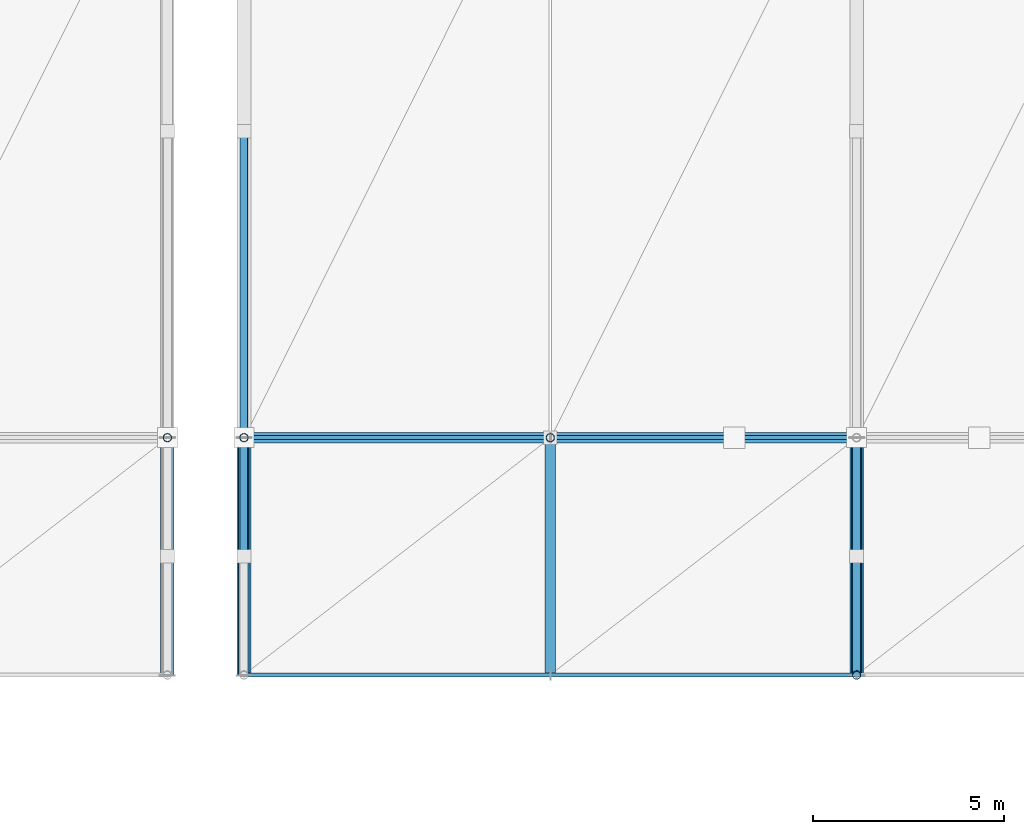
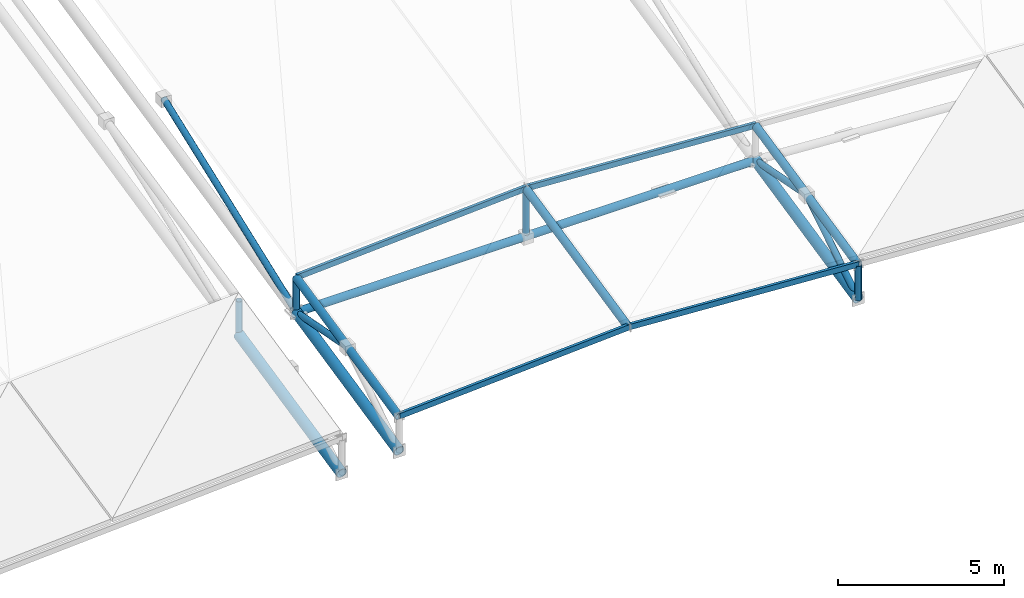
# One storey, part 15 of 67: 15 members, 4 beams.
"""IFC4 building model written with IfcOpenShell, lengths in metres."""

import ifcopenshell
import ifcopenshell.guid

model = None  # the IFC model being written
_history = None  # IfcOwnerHistory: only IFC2X3 demands one
_inside = {}  # id of a spatial element -> (the spatial element, [elements in it])
_under = {}  # id of a project, library or spatial element -> (it, [spatial elements below it])
_declared = {}  # id of a project -> (the project, [libraries it declares])
_typed = {}  # id of a type object -> (the type object, [elements of that type])
_made_of = {}  # id of a material, layer set ... -> (it, [elements and type objects made of it])


def new_model(schema):
    """Start an empty IFC model of exactly this schema.

    Asked for "IFC4X3", IfcOpenShell would pick the latest addendum, in which some entities
    have other attributes; the version numbers below select the first issue.
    IFC2X3 requires an IfcOwnerHistory on every rooted entity: one is made here for all.
    """
    global model, _history
    if schema == "IFC4X3":
        model = ifcopenshell.file(schema_version=(4, 3, 0, 0))
    else:
        model = ifcopenshell.file(schema=schema)
    _inside.clear()
    _under.clear()
    _declared.clear()
    _typed.clear()
    _made_of.clear()
    _history = None
    if model.schema == "IFC2X3":
        org = make("IfcOrganization", Name="unknown")
        user = make(
            "IfcPersonAndOrganization",
            ThePerson=make("IfcPerson", FamilyName="unknown"),
            TheOrganization=org,
        )
        app = make(
            "IfcApplication",
            ApplicationDeveloper=org,
            Version="unknown",
            ApplicationFullName="unknown",
            ApplicationIdentifier="unknown",
        )
        _history = make(
            "IfcOwnerHistory",
            OwningUser=user,
            OwningApplication=app,
            ChangeAction="ADDED",
            CreationDate=0,
        )
    return model


def make(cls, **values):
    """One entity of the class cls with the attributes given. An attribute that is None is left unset."""
    return model.create_entity(
        cls, **{name: value for name, value in values.items() if value is not None}
    )


def rooted(cls, **values):
    """An entity with a GlobalId (a new one), such as an element, a storey or a relation."""
    return make(cls, GlobalId=ifcopenshell.guid.new(), OwnerHistory=_history, **values)


def si_unit(unit_type, name, prefix=None):
    """IfcSIUnit, for example si_unit("LENGTHUNIT", "METRE", prefix="MILLI")."""
    return make("IfcSIUnit", UnitType=unit_type, Prefix=prefix, Name=name)


def assignment(units):
    """IfcUnitAssignment: the units of a project."""
    return None if units is None else make("IfcUnitAssignment", Units=units)


def point(xyz):
    """IfcCartesianPoint."""
    return None if xyz is None else make("IfcCartesianPoint", Coordinates=xyz)


def direction(xyz):
    """IfcDirection."""
    return None if xyz is None else make("IfcDirection", DirectionRatios=xyz)


def frame(location, z_axis=None, x_axis=None):
    """IfcAxis2Placement3D, a coordinate frame: its origin and axes. An axis left out is left unset."""
    return make(
        "IfcAxis2Placement3D",
        Location=point(location),
        Axis=direction(z_axis),
        RefDirection=direction(x_axis),
    )


def frame_2d(location, x_axis=None):
    """IfcAxis2Placement2D, a coordinate frame in the plane: its origin and x axis."""
    return make(
        "IfcAxis2Placement2D", Location=point(location), RefDirection=direction(x_axis)
    )


def origin():
    """The frame at (0, 0, 0) with its axes left unset."""
    return frame((0.0, 0.0, 0.0))


def origin_2d():
    """The frame at (0, 0) in the plane with its x axis left unset."""
    return frame_2d((0.0, 0.0))


def place(relative_to, where):
    """IfcLocalPlacement: puts the frame where relative to a parent placement (None: the world)."""
    return make(
        "IfcLocalPlacement", PlacementRelTo=relative_to, RelativePlacement=where
    )


def context(
    kind, dimensions, precision=None, world=None, true_north=None, identifier=None
):
    """IfcGeometricRepresentationContext, for example the 3D "Model" context."""
    return make(
        "IfcGeometricRepresentationContext",
        ContextIdentifier=identifier,
        ContextType=kind,
        CoordinateSpaceDimension=dimensions,
        Precision=precision,
        WorldCoordinateSystem=world,
        TrueNorth=true_north,
    )


def subcontext(parent, identifier, kind, view, scale=None):
    """IfcGeometricRepresentationSubContext, for example "Body" below "Model"."""
    return make(
        "IfcGeometricRepresentationSubContext",
        ContextIdentifier=identifier,
        ContextType=kind,
        ParentContext=parent,
        TargetScale=scale,
        TargetView=view,
    )


def project(units=None, contexts=None):
    """IfcProject with its units and contexts."""
    return rooted(
        "IfcProject",
        Name="project",
        RepresentationContexts=contexts,
        UnitsInContext=assignment(units),
    )


def spatial(cls, under=None, at=None, **own):
    """A site, building, storey or space (cls), placed at a placement, below another one or the project."""
    s = rooted(cls, ObjectPlacement=at, **own)
    if under is not None:
        _under.setdefault(under.id(), (under, []))[1].append(s)
    return s


def profile(cls, at=None, kind="AREA", **sizes):
    """A parametric profile (cls). Its sizes go by their IFC names, for example OverallWidth=200.0."""
    return make(cls, ProfileType=kind, Position=at, **sizes)


def hollow_rectangle(**sizes):
    """IfcRectangleHollowProfileDef."""
    return profile("IfcRectangleHollowProfileDef", **sizes)


def hollow_circle(**sizes):
    """IfcCircleHollowProfileDef."""
    return profile("IfcCircleHollowProfileDef", **sizes)


def extrude(swept, where, along, depth):
    """IfcExtrudedAreaSolid: the profile swept, set in the frame where, extruded along a direction by depth."""
    return make(
        "IfcExtrudedAreaSolid",
        SweptArea=swept,
        Position=where,
        ExtrudedDirection=direction(along),
        Depth=depth,
    )


def shape(context_of_items, identifier, shape_type, items):
    """IfcShapeRepresentation: the items that make up one representation, for example the "Body"."""
    return make(
        "IfcShapeRepresentation",
        ContextOfItems=context_of_items,
        RepresentationIdentifier=identifier,
        RepresentationType=shape_type,
        Items=items,
    )


def material(Name=None, Category=None):
    """IfcMaterial."""
    return make("IfcMaterial", Name=Name, Category=Category)


def material_profile(
    of_material, cross_section, Name=None, Category=None, Priority=None
):
    """IfcMaterialProfile: a cross section and its material."""
    return make(
        "IfcMaterialProfile",
        Name=Name,
        Material=of_material,
        Profile=cross_section,
        Priority=Priority,
        Category=Category,
    )


def profile_set(profiles, Name=None, composite=None):
    """IfcMaterialProfileSet."""
    return make(
        "IfcMaterialProfileSet",
        Name=Name,
        MaterialProfiles=profiles,
        CompositeProfile=composite,
    )


def made_of(thing, what):
    """Note that an element or type object is made of a material, layer set ...; save() writes the relation."""
    if what is not None:
        _made_of.setdefault(what.id(), (what, []))[1].append(thing)
    return thing


def type_object(cls, material=None, **own):
    """A type object (cls), such as IfcWallType, which elements share."""
    return made_of(rooted(cls, **own), material)


def element(
    cls,
    number,
    at=None,
    inside=None,
    cuts=None,
    type_object=None,
    material=None,
    context=None,
    identifier="Body",
    shape_type=None,
    held_by="IfcProductDefinitionShape",
    body=None,
    shapes=None,
    **own,
):
    """One element of the class cls, such as IfcWall. Its Tag is "e" and its number.

    at: its placement. inside: the storey or other place that contains it. cuts: it is an
    opening in that element (IfcRelVoidsElement). A single representation is given by context,
    identifier, shape_type and body (its items); several are given by shapes. held_by: the class
    of the entity that holds the representations. save() writes the other relations.
    """
    e = rooted(cls, Tag="e%d" % number, ObjectPlacement=at, **own)
    if body is not None:
        shapes = [shape(context, identifier, shape_type, body)]
    if shapes is not None:
        e.Representation = make(held_by, Representations=shapes)
    if inside is not None:
        _inside.setdefault(inside.id(), (inside, []))[1].append(e)
    if cuts is not None:
        rooted(
            "IfcRelVoidsElement", RelatingBuildingElement=cuts, RelatedOpeningElement=e
        )
    if type_object is not None:
        _typed.setdefault(type_object.id(), (type_object, []))[1].append(e)
    return made_of(e, material)


def aggregate(whole, parts):
    """IfcRelAggregates: a whole, such as a stair, and the parts it consists of."""
    return rooted("IfcRelAggregates", RelatingObject=whole, RelatedObjects=parts)


def save(model, path):
    """Write the relations noted so far, then the file.

    IfcRelAggregates (storeys below a building ...), IfcRelContainedInSpatialStructure (elements
    in a storey), IfcRelDefinesByType, IfcRelAssociatesMaterial and IfcRelDeclares: one each for
    every whole, place, type object, material and project.
    """
    for whole, parts in _under.values():
        aggregate(whole, parts)
    for where, things in _inside.values():
        rooted(
            "IfcRelContainedInSpatialStructure",
            RelatedElements=things,
            RelatingStructure=where,
        )
    for kind, things in _typed.values():
        rooted("IfcRelDefinesByType", RelatedObjects=things, RelatingType=kind)
    for what, things in _made_of.values():
        rooted("IfcRelAssociatesMaterial", RelatedObjects=things, RelatingMaterial=what)
    for by, libraries in _declared.values():
        rooted("IfcRelDeclares", RelatingContext=by, RelatedDefinitions=libraries)
    model.write(path)


model = new_model("IFC4")

# Units and contexts
model_context = context("Model", 3, precision=1e-05, world=origin(), true_north=direction((0.0, 1.0)))
body_context = subcontext(model_context, "Body", "Model", "MODEL_VIEW")
ifc_project = project(units=[si_unit("LENGTHUNIT", "METRE"), si_unit("AREAUNIT", "SQUARE_METRE"), si_unit("VOLUMEUNIT", "CUBIC_METRE"), si_unit("PLANEANGLEUNIT", "RADIAN"), si_unit("MASSUNIT", "GRAM", prefix="KILO")], contexts=[model_context])

# Site, building, storey
site_placement = place(None, origin())
site = spatial("IfcSite", under=ifc_project, at=site_placement, CompositionType="ELEMENT")
building_placement = place(site_placement, origin())
building = spatial("IfcBuilding", under=site, at=building_placement, Name="Drelvath Fold Interchange", CompositionType="ELEMENT")
storey_placement = place(building_placement, frame((0.0, 0.0, 15.60009765625)))
storey = spatial("IfcBuildingStorey", under=building, at=storey_placement, Name="L03", CompositionType="ELEMENT", Elevation=15.60009765625)

# Members
ifc_material = material(Name="Steel ASTM A500 Grade C", Category="steel")
ifc_material_profile_1 = material_profile(ifc_material, hollow_rectangle(XDim=0.10205078125, YDim=0.202880859375, WallThickness=0.00732421875, at=origin_2d()), Name="HSS8X4X5/16")
ifc_profile_set_1 = profile_set([ifc_material_profile_1], Name="Steel ASTM A500 Grade C")
member_type_1 = type_object("IfcMemberType", Name="PR-HSS203", PredefinedType="PURLIN", material=ifc_profile_set_1)
for number, where, z_axis, x_axis, name in (
    (1, (102.0, 20.800048828125, 1.0869140625), (0.998197699277, 0.0, 0.060011275256), (0.0, 1.0, 0.0), "L03 Space frame canopy purlin PR-HSS203"),
    (2, (110.0, 20.800048828125, 1.56787109375), (0.998197699277, 0.0, -0.060011275256), (0.0, 1.0, 0.0), "L03 Space frame canopy purlin PR-HSS203"),
    (3, (102.0, 27.0, 2.43896484375), (0.998197699277, 0.0, 0.060011275256), (0.0, 1.0, 0.0), "L03 Space frame canopy purlin PR-HSS203"),
    (4, (110.0, 27.0, 2.919921875), (0.998197699277, 0.0, -0.060011275256), (0.0, 1.0, 0.0), "L03 Space frame canopy purlin PR-HSS203"),
):
    element("IfcMember", number, at=place(storey_placement, frame(where, z_axis=z_axis, x_axis=x_axis)), inside=storey, type_object=member_type_1, Name=name, PredefinedType="PURLIN", context=body_context, shape_type="SweptSolid", body=[
        extrude(hollow_rectangle(XDim=0.10205078125, YDim=0.202880859375, WallThickness=0.00732421875, at=origin_2d()), origin(), (0.0, 0.0, 1.0), 8.014404296875),
    ])
ifc_material_profile_2 = material_profile(ifc_material, hollow_circle(Radius=0.136474609375, WallThickness=0.01171875, at=origin_2d()), Name="HSS10.750X0.500")
ifc_profile_set_2 = profile_set([ifc_material_profile_2], Name="Steel ASTM A500 Grade C")
member_type_2 = type_object("IfcMemberType", Name="SF-CHD273", PredefinedType="CHORD", material=ifc_profile_set_2)
for number, where, z_axis, x_axis, name in (
    (5, (102.0, 20.800048828125, 1.054931640625), (0.0, 0.97703760939, 0.213066913991), (-1.0, 0.0, 0.0), "L03 Space frame roof truss upper chord SF-CHD273"),
    (6, (118.0, 20.800048828125, 1.054931640625), (0.0, 0.97703760939, 0.213066913991), (-1.0, 0.0, 0.0), "L03 Space frame roof truss upper chord SF-CHD273"),
    (7, (110.0, 20.800048828125, 1.535888671875), (0.0, 0.97703760939, 0.213066913991), (-1.0, 0.0, 0.0), "L03 Space frame crown chord SF-CHD273"),
):
    element("IfcMember", number, at=place(storey_placement, frame(where, z_axis=z_axis, x_axis=x_axis)), inside=storey, type_object=member_type_2, Name=name, PredefinedType="CHORD", context=body_context, shape_type="SweptSolid", body=[
        extrude(hollow_circle(Radius=0.136474609375, WallThickness=0.01171875, at=origin_2d()), origin(), (0.0, 0.0, 1.0), 6.345703125),
    ])

# Beams
ifc_material_profile_3 = material_profile(ifc_material, hollow_circle(Radius=0.177978515625, WallThickness=0.01171875, at=origin_2d()), Name="HSS14.000X0.500")
ifc_profile_set_3 = profile_set([ifc_material_profile_3], Name="Steel ASTM A500 Grade C")
beam_type_1 = type_object("IfcBeamType", Name="SF-RIB356", PredefinedType="BEAM", material=ifc_profile_set_3)
for number, where, z_axis, x_axis, name in (
    (8, (100.0, 20.800048828125, -0.335205078125), (0.0, 0.97703760939, 0.213066913991), (-1.0, 0.0, 0.0), "Space frame roof truss main rib chord WEST"),
    (9, (102.0, 20.800048828125, -0.215087890625), (0.0, 0.97703760939, 0.213066913991), (-1.0, 0.0, 0.0), "Space frame roof truss main rib chord EAST"),
    (10, (118.0, 20.800048828125, -0.215087890625), (0.0, 0.97703760939, 0.213066913991), (-1.0, 0.0, 0.0), "Space frame roof truss main rib chord EAST"),
):
    element("IfcBeam", number, at=place(storey_placement, frame(where, z_axis=z_axis, x_axis=x_axis)), inside=storey, type_object=beam_type_1, Name=name, PredefinedType="BEAM", context=body_context, shape_type="SweptSolid", body=[
        extrude(hollow_circle(Radius=0.177978515625, WallThickness=0.01171875, at=origin_2d()), origin(), (0.0, 0.0, 1.0), 6.345703125),
    ])
ifc_material_profile_4 = material_profile(ifc_material, hollow_circle(Radius=0.136474609375, WallThickness=0.01171875, at=origin_2d()), Name="HSS10.750X0.500")
ifc_profile_set_4 = profile_set([ifc_material_profile_4], Name="Steel ASTM A500 Grade C")
beam_type_2 = type_object("IfcBeamType", Name="SF-TIE273", PredefinedType="BEAM", material=ifc_profile_set_4)
beam_placement = place(storey_placement, frame((102.050048828125, 27.0, 1.136962890625), z_axis=(1.0, 0.0, 0.0), x_axis=(0.0, 1.0, 0.0)))
element("IfcBeam", 11, at=beam_placement, inside=storey, type_object=beam_type_2, Name="Space frame roof truss longitudinal tie EAST", PredefinedType="BEAM", context=body_context, shape_type="SweptSolid", body=[
    extrude(hollow_circle(Radius=0.136474609375, WallThickness=0.01171875, at=origin_2d()), origin(), (0.0, 0.0, 1.0), 15.89990234375),
])

# Members
ifc_material_profile_5 = material_profile(ifc_material, hollow_circle(Radius=0.109619140625, WallThickness=0.0087890625, at=origin_2d()), Name="HSS8.625X0.375")
ifc_profile_set_5 = profile_set([ifc_material_profile_5], Name="Steel ASTM A500 Grade C")
member_type_3 = type_object("IfcMemberType", Name="SF-WEB219", PredefinedType="BRACE", material=ifc_profile_set_5)
member_1_placement = place(storey_placement, frame((100.0, 27.0, 1.016845703125), z_axis=(0.0, 0.0, 1.0), x_axis=(1.0, 0.0, 0.0)))
element("IfcMember", 12, at=member_1_placement, inside=storey, type_object=member_type_3, Name="L03 Space frame roof truss web brace SF-WEB219", PredefinedType="BRACE", context=body_context, shape_type="SweptSolid", body=[
    extrude(hollow_circle(Radius=0.109619140625, WallThickness=0.0087890625, at=origin_2d()), origin(), (0.0, 0.0, 1.0), 1.27001953125),
])
member_2_placement = place(storey_placement, frame((102.0, 23.89990234375, 1.73095703125), z_axis=(0.0, 0.982134211284, -0.188181803123), x_axis=(-1.0, 0.0, 0.0)))
element("IfcMember", 13, at=member_2_placement, inside=storey, type_object=member_type_3, Name="L03 Space frame roof truss web brace SF-WEB219", PredefinedType="BRACE", context=body_context, shape_type="SweptSolid", body=[
    extrude(hollow_circle(Radius=0.109619140625, WallThickness=0.0087890625, at=origin_2d()), origin(), (0.0, 0.0, 1.0), 3.156494140625),
])
member_3_placement = place(storey_placement, frame((102.0, 27.0, 1.136962890625), z_axis=(0.0, 0.935792918381, 0.352550158002), x_axis=(-1.0, 0.0, 0.0)))
element("IfcMember", 14, at=member_3_placement, inside=storey, type_object=member_type_3, Name="L03 Space frame roof truss web brace SF-WEB219", PredefinedType="BRACE", context=body_context, shape_type="SweptSolid", body=[
    extrude(hollow_circle(Radius=0.109619140625, WallThickness=0.0087890625, at=origin_2d()), origin(), (0.0, 0.0, 1.0), 8.548828125),
])
member_4_placement = place(storey_placement, frame((102.0, 27.0, 1.136962890625), z_axis=(0.0, 0.0, 1.0), x_axis=(1.0, 0.0, 0.0)))
element("IfcMember", 15, at=member_4_placement, inside=storey, type_object=member_type_3, Name="L03 Space frame roof truss web brace SF-WEB219", PredefinedType="BRACE", context=body_context, shape_type="SweptSolid", body=[
    extrude(hollow_circle(Radius=0.109619140625, WallThickness=0.0087890625, at=origin_2d()), origin(), (0.0, 0.0, 1.0), 1.27001953125),
])
member_5_placement = place(storey_placement, frame((118.0, 20.800048828125, -0.215087890625), z_axis=(0.0, 0.84693609346, 0.531694699612), x_axis=(-1.0, 0.0, 0.0)))
element("IfcMember", 16, at=member_5_placement, inside=storey, type_object=member_type_3, Name="L03 Space frame roof truss web brace SF-WEB219", PredefinedType="BRACE", context=body_context, shape_type="SweptSolid", body=[
    extrude(hollow_circle(Radius=0.109619140625, WallThickness=0.0087890625, at=origin_2d()), origin(), (0.0, 0.0, 1.0), 3.66015625),
])
member_6_placement = place(storey_placement, frame((118.0, 23.89990234375, 1.73095703125), z_axis=(0.0, 0.982134211284, -0.188181803123), x_axis=(-1.0, 0.0, 0.0)))
element("IfcMember", 17, at=member_6_placement, inside=storey, type_object=member_type_3, Name="L03 Space frame roof truss web brace SF-WEB219", PredefinedType="BRACE", context=body_context, shape_type="SweptSolid", body=[
    extrude(hollow_circle(Radius=0.109619140625, WallThickness=0.0087890625, at=origin_2d()), origin(), (0.0, 0.0, 1.0), 3.156494140625),
])
member_7_placement = place(storey_placement, frame((118.0, 20.800048828125, -0.215087890625), z_axis=(0.0, 0.0, 1.0), x_axis=(1.0, 0.0, 0.0)))
element("IfcMember", 18, at=member_7_placement, inside=storey, type_object=member_type_3, Name="L03 Space frame roof truss web brace SF-WEB219", PredefinedType="BRACE", context=body_context, shape_type="SweptSolid", body=[
    extrude(hollow_circle(Radius=0.109619140625, WallThickness=0.0087890625, at=origin_2d()), origin(), (0.0, 0.0, 1.0), 1.27001953125),
])
member_8_placement = place(storey_placement, frame((110.0, 27.0, 1.136962890625), z_axis=(0.0, 0.0, 1.0), x_axis=(1.0, 0.0, 0.0)))
element("IfcMember", 19, at=member_8_placement, inside=storey, type_object=member_type_3, Name="L03 Space frame crown post SF-WEB219", PredefinedType="BRACE", context=body_context, shape_type="SweptSolid", body=[
    extrude(hollow_circle(Radius=0.109619140625, WallThickness=0.0087890625, at=origin_2d()), origin(), (0.0, 0.0, 1.0), 1.7509765625),
])

save(model, "model.ifc")
